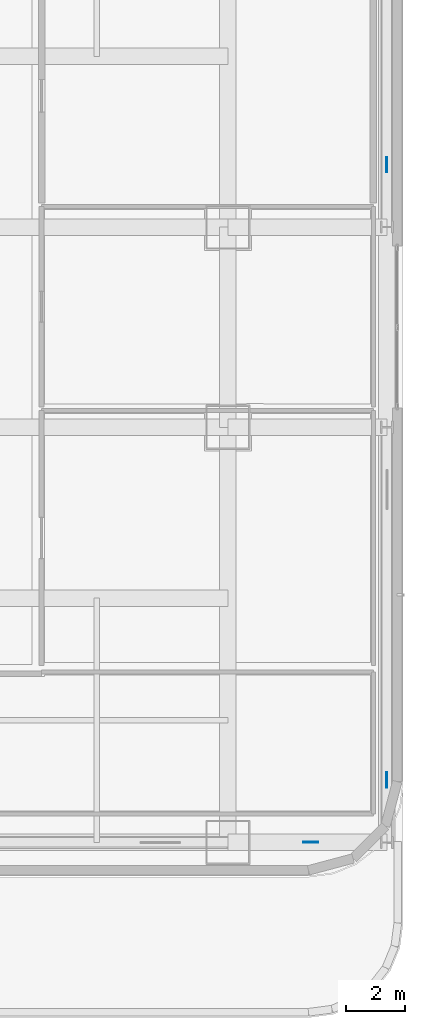
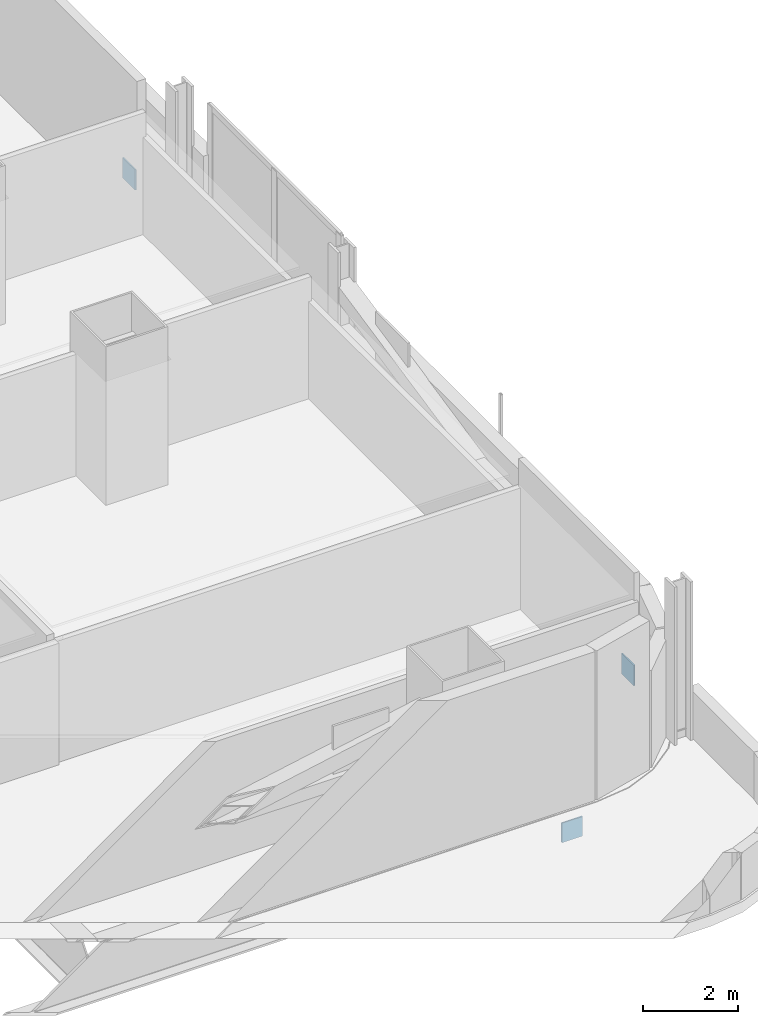
# One storey, part 9 of 28: 3 plates.
"""IFC4 building model written with IfcOpenShell, lengths in metres."""

from ifc_helpers import new_model, si_unit, direction, frame, origin, origin_2d, place, context, subcontext, project, spatial, rectangle, extrude, material, layer, layer_set, type_object, element, save


model = new_model("IFC4")

# Units and contexts
model_context = context("Model", 3, precision=1e-05, world=origin(), true_north=direction((0.0, 1.0)))
body_context = subcontext(model_context, "Body", "Model", "MODEL_VIEW")
ifc_project = project(units=[si_unit("LENGTHUNIT", "METRE"), si_unit("AREAUNIT", "SQUARE_METRE"), si_unit("VOLUMEUNIT", "CUBIC_METRE"), si_unit("PLANEANGLEUNIT", "RADIAN"), si_unit("MASSUNIT", "GRAM", prefix="KILO")], contexts=[model_context])

# Site, building, storey
site_placement = place(None, origin())
site = spatial("IfcSite", under=ifc_project, at=site_placement, CompositionType="ELEMENT")
building_placement = place(site_placement, origin())
building = spatial("IfcBuilding", under=site, at=building_placement, Name="Punatoya Terracotta Tower", CompositionType="ELEMENT")
storey_placement = place(building_placement, frame((0.0, 0.0, 93.0)))
storey = spatial("IfcBuildingStorey", under=building, at=storey_placement, Name="L21", CompositionType="ELEMENT", Elevation=93.0)

# Plates
ifc_material = material(Name="Steel S460", Category="steel")
ifc_layer = layer(ifc_material, 0.031982421875)
ifc_layer_set = layer_set([ifc_layer], Name="Steel S460")
plate_type = type_object("IfcPlateType", Name="PLT-END-32", PredefinedType="USERDEFINED", material=ifc_layer_set)
for number, where, z_axis, x_axis, name in (
    (1, (24.5, -15.385009765625, 0.20849609375), (0.0, 0.0, 1.0), (0.0, 1.0, 0.0), "L21 Exoskeleton Base Node Plate E1"),
    (2, (24.5, 5.514892578125, 0.20849609375), (0.0, 0.0, 1.0), (0.0, 1.0, 0.0), "L21 Exoskeleton Base Node Plate E3"),
):
    element("IfcPlate", number, at=place(storey_placement, frame(where, z_axis=z_axis, x_axis=x_axis)), inside=storey, type_object=plate_type, Name=name, ObjectType="FLANGE_PLATE", PredefinedType="USERDEFINED", context=body_context, shape_type="SweptSolid", body=[
        extrude(rectangle(XDim=0.52001953125, YDim=0.031982421875, at=origin_2d()), origin(), (0.0, 0.0, 1.0), 0.52001953125),
    ])
plate_placement = place(storey_placement, frame((21.916015625, -17.5, -1.68408203125), z_axis=(0.0, 0.0, 1.0), x_axis=(1.0, 0.0, 0.0)))
element("IfcPlate", 3, at=plate_placement, inside=storey, type_object=plate_type, Name="L21 Knee-Strut Upper End Cap Plate E1", ObjectType="FLANGE_PLATE", PredefinedType="USERDEFINED", context=body_context, shape_type="SweptSolid", body=[
    extrude(rectangle(XDim=0.5, YDim=0.031982421875, at=origin_2d()), origin(), (0.0, 0.0, 1.0), 0.5),
])

save(model, "model.ifc")
